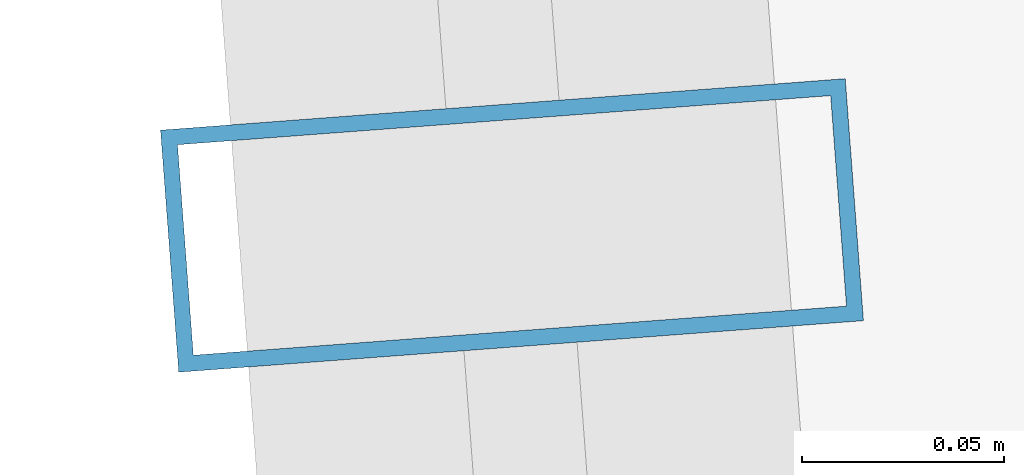
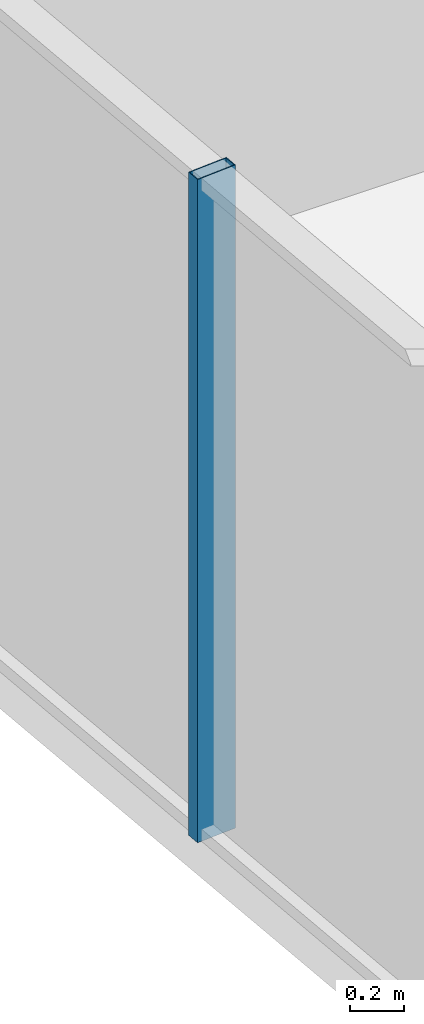
# One storey, part 10 of 35: 1 member, 1 element without a shape of its own.
"""IFC4 building model written with IfcOpenShell, lengths in metres."""

from ifc_helpers import new_model, si_unit, direction, frame, origin, origin_2d, place, context, subcontext, project, spatial, hollow_rectangle, extrude, source, transform, mapped, material, layer, layer_set, material_profile, profile_set, type_object, element, aggregate, save


model = new_model("IFC4")

# Units and contexts
model_context = context("Model", 3, precision=1e-05, world=origin(), true_north=direction((0.0, 1.0)))
body_context = subcontext(model_context, "Body", "Model", "MODEL_VIEW")
ifc_project = project(units=[si_unit("LENGTHUNIT", "METRE"), si_unit("AREAUNIT", "SQUARE_METRE"), si_unit("VOLUMEUNIT", "CUBIC_METRE"), si_unit("PLANEANGLEUNIT", "RADIAN"), si_unit("MASSUNIT", "GRAM", prefix="KILO")], contexts=[model_context])

# Site, building, storey
site_placement = place(None, origin())
site = spatial("IfcSite", under=ifc_project, at=site_placement, CompositionType="ELEMENT")
building_placement = place(site_placement, origin())
building = spatial("IfcBuilding", under=site, at=building_placement, Name="Veraguas Prism Commons", CompositionType="ELEMENT")
storey_placement = place(building_placement, frame((0.0, 0.0, 142.5)))
storey = spatial("IfcBuildingStorey", under=building, at=storey_placement, Name="L40", CompositionType="ELEMENT", Elevation=142.5)

# Curtain wall, member
ifc_material = material(Name="Anodised aluminium EN AW-6063 T6", Category="aluminium")
ifc_layer = layer(ifc_material, 0.169921875, Name="Unitised Flush Curtain Wall Zone 2", Category="aluminium")
ifc_layer_set = layer_set([ifc_layer], Name="Anodised aluminium EN AW-6063 T6")
curtain_wall_type = type_object("IfcCurtainWallType", Name="Unitised Flush Curtain Wall Zone 2", PredefinedType="NOTDEFINED", material=ifc_layer_set)
curtain_wall_placement = place(storey_placement, origin())
curtain_wall = element("IfcCurtainWall", 1, at=curtain_wall_placement, inside=storey, type_object=curtain_wall_type, Name="Tower Facade Curtain Wall L40-F3", PredefinedType="NOTDEFINED")
ifc_material_profile = material_profile(ifc_material, hollow_rectangle(XDim=0.06005859375, YDim=0.169921875, WallThickness=0.00390625, at=origin_2d()), Name="AL60X170X4")
ifc_profile_set = profile_set([ifc_material_profile], Name="Anodised aluminium EN AW-6063 T6")
member_type = type_object("IfcMemberType", Name="Curtain Wall Mullion Lower AL 60x170x4", PredefinedType="MULLION", material=ifc_profile_set)
shared_shape = source(origin(), body_context, "Body", "SweptSolid", [
    extrude(hollow_rectangle(XDim=0.06005859375, YDim=0.169921875, WallThickness=0.00390625, at=origin_2d()), origin(), (0.0, 0.0, 1.0), 3.0),
])
member_placement = place(storey_placement, frame((4.87158203125, 22.561767578125, 0.0), z_axis=(0.0, 0.0, 1.0), x_axis=(0.074978726826, -0.997185133525, 0.0)))
member = element("IfcMember", 2, at=member_placement, type_object=member_type, Name="CW-Z2 Mullion 3", PredefinedType="MULLION", context=body_context, shape_type="MappedRepresentation", body=[
    mapped(shared_shape, transform((0.0, 0.0, 0.0), scale=1.0)),
])
aggregate(curtain_wall, [member])

save(model, "model.ifc")
